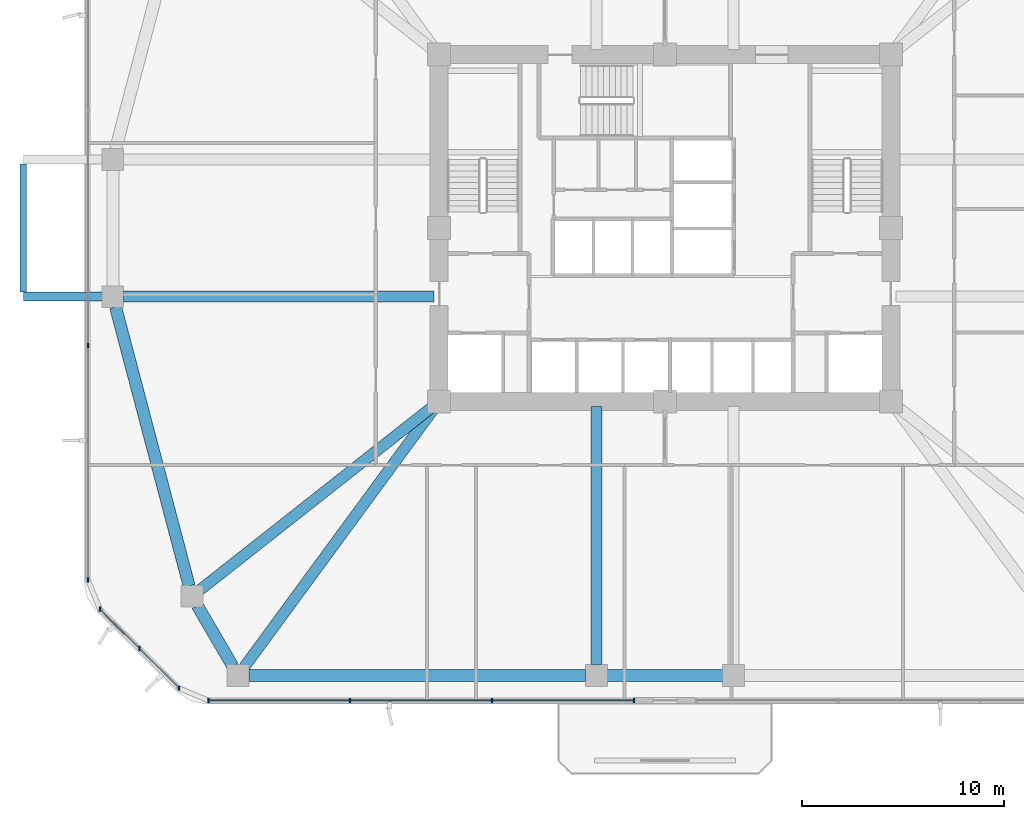
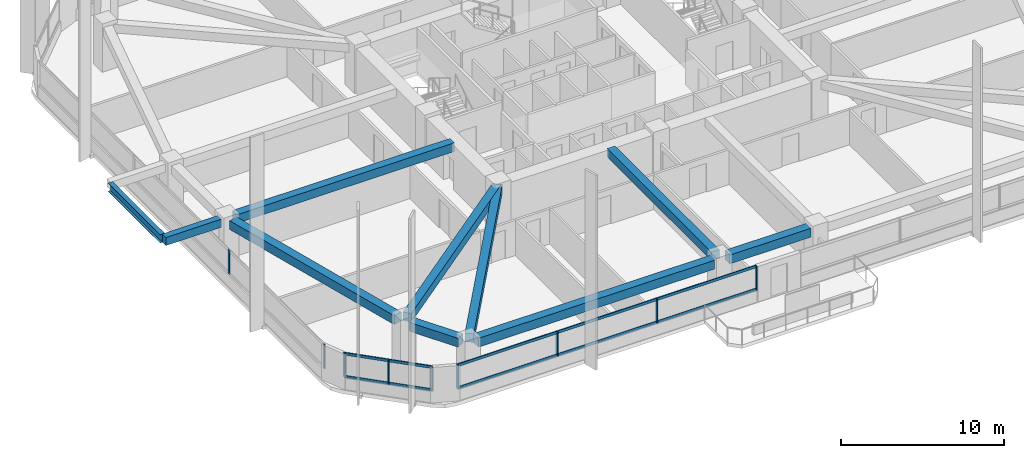
# One storey, part 2 of 17: 13 members, 10 beams, 3 elements without a shape of their own.
"""IFC4 building model written with IfcOpenShell, lengths in metres."""

from ifc_helpers import new_model, si_unit, derived_unit, direction, frame, origin, origin_2d, place, context, subcontext, project, spatial, rectangle, i_section, extrude, material, material_profile, profile_set, type_object, element, aggregate, save


model = new_model("IFC4")

# Units and contexts
model_context = context("Model", 3, precision=1e-05, world=origin(), true_north=direction((0.0, 1.0)))
body_context = subcontext(model_context, "Body", "Model", "MODEL_VIEW")
ifc_project = project(units=[si_unit("LENGTHUNIT", "METRE"), si_unit("AREAUNIT", "SQUARE_METRE"), si_unit("VOLUMEUNIT", "CUBIC_METRE"), si_unit("PLANEANGLEUNIT", "RADIAN"), si_unit("MASSUNIT", "GRAM", prefix="KILO"), derived_unit("THERMALTRANSMITTANCEUNIT", [(si_unit("POWERUNIT", "WATT"), 1), (si_unit("LENGTHUNIT", "METRE"), -2), (si_unit("THERMODYNAMICTEMPERATUREUNIT", "KELVIN"), -1)])], contexts=[model_context])

# Site, building, storey
site_placement = place(None, origin())
site = spatial("IfcSite", under=ifc_project, at=site_placement, CompositionType="ELEMENT")
building_placement = place(site_placement, origin())
building = spatial("IfcBuilding", under=site, at=building_placement, Name="Koralith Skygarden Medical Center", CompositionType="ELEMENT")
storey_placement = place(building_placement, frame((0.0, 0.0, 23.93994140625)))
storey = spatial("IfcBuildingStorey", under=building, at=storey_placement, Name="L05", CompositionType="ELEMENT", Elevation=23.93994140625)

# Curtain wall, members
ifc_material_1 = material(Name="Clear Laminated Glass", Category="glass")
curtain_wall_type = type_object("IfcCurtainWallType", Name="CW-2 Zone 1 Hurricane Unitised Curtain Wall", PredefinedType="NOTDEFINED", material=ifc_material_1)
curtain_wall_1_placement = place(storey_placement, origin())
curtain_wall_1 = element("IfcCurtainWall", 1, at=curtain_wall_1_placement, inside=storey, type_object=curtain_wall_type, Name="Curtain Wall CW-L05-S-L", PredefinedType="NOTDEFINED")
ifc_material_2 = material(Name="Aluminium 6063-T6", Category="aluminium")
ifc_material_profile_1 = material_profile(ifc_material_2, rectangle(XDim=0.071044921875, YDim=0.219970703125, at=origin_2d()), Name="MUL71X220")
ifc_profile_set_1 = profile_set([ifc_material_profile_1], Name="Aluminium 6063-T6")
member_type_1 = type_object("IfcMemberType", Name="CW-2 Extruded Mullion 71x220", PredefinedType="MULLION", material=ifc_profile_set_1)
member_1_placement = place(storey_placement, frame((14.35498046875, 2.47998046875, 0.85009765625), z_axis=(0.0, 0.0, 1.0), x_axis=(1.0, 0.0, 0.0)))
member_1 = element("IfcMember", 2, at=member_1_placement, type_object=member_type_1, Name="CW-L05-S-L Mullion 1", PredefinedType="MULLION", context=body_context, shape_type="SweptSolid", body=[
    extrude(rectangle(XDim=0.071044921875, YDim=0.219970703125, at=origin_2d()), origin(), (0.0, 0.0, 1.0), 1.800048828125),
])
member_2_placement = place(storey_placement, frame((21.389892578125, 2.47998046875, 0.85009765625), z_axis=(0.0, 0.0, 1.0), x_axis=(1.0, 0.0, 0.0)))
member_2 = element("IfcMember", 3, at=member_2_placement, type_object=member_type_1, Name="CW-L05-S-L Mullion 2", PredefinedType="MULLION", context=body_context, shape_type="SweptSolid", body=[
    extrude(rectangle(XDim=0.071044921875, YDim=0.219970703125, at=origin_2d()), origin(), (0.0, 0.0, 1.0), 1.800048828125),
])
member_3_placement = place(storey_placement, frame((28.425048828125, 2.47998046875, 0.85009765625), z_axis=(0.0, 0.0, 1.0), x_axis=(1.0, 0.0, 0.0)))
member_3 = element("IfcMember", 4, at=member_3_placement, type_object=member_type_1, Name="CW-L05-S-L Mullion 3", PredefinedType="MULLION", context=body_context, shape_type="SweptSolid", body=[
    extrude(rectangle(XDim=0.071044921875, YDim=0.219970703125, at=origin_2d()), origin(), (0.0, 0.0, 1.0), 1.800048828125),
])
member_4_placement = place(storey_placement, frame((35.4599609375, 2.47998046875, 0.85009765625), z_axis=(0.0, 0.0, 1.0), x_axis=(1.0, 0.0, 0.0)))
member_4 = element("IfcMember", 5, at=member_4_placement, type_object=member_type_1, Name="CW-L05-S-L Mullion 4", PredefinedType="MULLION", context=body_context, shape_type="SweptSolid", body=[
    extrude(rectangle(XDim=0.071044921875, YDim=0.219970703125, at=origin_2d()), origin(), (0.0, 0.0, 1.0), 1.800048828125),
])

curtain_wall_2_placement = place(storey_placement, origin())
curtain_wall_2 = element("IfcCurtainWall", 6, at=curtain_wall_2_placement, inside=storey, type_object=curtain_wall_type, Name="Curtain Wall CW-L05-W", PredefinedType="NOTDEFINED")
member_5_placement = place(storey_placement, frame((8.3798828125, 20.0849609375, 0.85009765625), z_axis=(0.0, 0.0, 1.0), x_axis=(1.0, 0.0, 0.0)))
member_5 = element("IfcMember", 7, at=member_5_placement, type_object=member_type_1, Name="CW-L05-W Mullion 3", PredefinedType="MULLION", context=body_context, shape_type="SweptSolid", body=[
    extrude(rectangle(XDim=0.071044921875, YDim=0.219970703125, at=origin_2d()), origin(), (0.0, 0.0, 1.0), 1.800048828125),
])
member_6_placement = place(storey_placement, frame((8.3798828125, 8.455078125, 0.85009765625), z_axis=(0.0, 0.0, 1.0), x_axis=(1.0, 0.0, 0.0)))
member_6 = element("IfcMember", 8, at=member_6_placement, type_object=member_type_1, Name="CW-L05-W Mullion 4", PredefinedType="MULLION", context=body_context, shape_type="SweptSolid", body=[
    extrude(rectangle(XDim=0.071044921875, YDim=0.219970703125, at=origin_2d()), origin(), (0.0, 0.0, 1.0), 1.800048828125),
])
aggregate(curtain_wall_2, [member_5, member_6])

curtain_wall_3_placement = place(storey_placement, origin())
curtain_wall_3 = element("IfcCurtainWall", 9, at=curtain_wall_3_placement, inside=storey, type_object=curtain_wall_type, Name="Curtain Wall CW-L05-SW", PredefinedType="NOTDEFINED")
member_7_placement = place(storey_placement, frame((8.98095703125, 7.00390625, 0.85009765625), z_axis=(0.0, 0.0, 1.0), x_axis=(1.0, 0.0, 0.0)))
member_7 = element("IfcMember", 10, at=member_7_placement, type_object=member_type_1, Name="CW-L05-SW Mullion 1", PredefinedType="MULLION", context=body_context, shape_type="SweptSolid", body=[
    extrude(rectangle(XDim=0.071044921875, YDim=0.219970703125, at=origin_2d()), origin(), (0.0, 0.0, 1.0), 1.800048828125),
])
member_8_placement = place(storey_placement, frame((10.94189453125, 5.04296875, 0.85009765625), z_axis=(0.0, 0.0, 1.0), x_axis=(1.0, 0.0, 0.0)))
member_8 = element("IfcMember", 11, at=member_8_placement, type_object=member_type_1, Name="CW-L05-SW Mullion 2", PredefinedType="MULLION", context=body_context, shape_type="SweptSolid", body=[
    extrude(rectangle(XDim=0.071044921875, YDim=0.219970703125, at=origin_2d()), origin(), (0.0, 0.0, 1.0), 1.800048828125),
])
member_9_placement = place(storey_placement, frame((12.904052734375, 3.0810546875, 0.85009765625), z_axis=(0.0, 0.0, 1.0), x_axis=(1.0, 0.0, 0.0)))
member_9 = element("IfcMember", 12, at=member_9_placement, type_object=member_type_1, Name="CW-L05-SW Mullion 3", PredefinedType="MULLION", context=body_context, shape_type="SweptSolid", body=[
    extrude(rectangle(XDim=0.071044921875, YDim=0.219970703125, at=origin_2d()), origin(), (0.0, 0.0, 1.0), 1.800048828125),
])

# Member
ifc_material_profile_2 = material_profile(ifc_material_2, rectangle(XDim=0.06591796875, YDim=0.197998046875, at=origin_2d()), Name="TRN66X198")
ifc_profile_set_2 = profile_set([ifc_material_profile_2], Name="Aluminium 6063-T6")
member_type_2 = type_object("IfcMemberType", Name="CW-2 Thermal Transom 66x198", PredefinedType="USERDEFINED", material=ifc_profile_set_2)
member_10_placement = place(storey_placement, frame((14.35498046875, 2.47998046875, 0.900146484375), z_axis=(1.0, 0.0, 0.0), x_axis=(0.0, 1.0, 0.0)))
member_10 = element("IfcMember", 13, at=member_10_placement, type_object=member_type_2, Name="CW-L05-S-L Transom 1", ObjectType="TRANSOM", PredefinedType="USERDEFINED", context=body_context, shape_type="SweptSolid", body=[
    extrude(rectangle(XDim=0.06591796875, YDim=0.197998046875, at=origin_2d()), origin(), (0.0, 0.0, 1.0), 21.10498046875),
])

member_11_placement = place(storey_placement, frame((14.35498046875, 2.47998046875, 2.60009765625), z_axis=(1.0, 0.0, 0.0), x_axis=(0.0, 1.0, 0.0)))
member_11 = element("IfcMember", 14, at=member_11_placement, type_object=member_type_2, Name="CW-L05-S-L Transom 2", ObjectType="TRANSOM", PredefinedType="USERDEFINED", context=body_context, shape_type="SweptSolid", body=[
    extrude(rectangle(XDim=0.06591796875, YDim=0.197998046875, at=origin_2d()), origin(), (0.0, 0.0, 1.0), 21.10498046875),
])

aggregate(curtain_wall_1, [member_1, member_2, member_3, member_4, member_10, member_11])

member_12_placement = place(storey_placement, frame((8.98095703125, 7.00390625, 0.900146484375), z_axis=(0.707128783731, -0.707084777957, 0.0), x_axis=(0.707084777957, 0.707128783731, 0.0)))
member_12 = element("IfcMember", 15, at=member_12_placement, type_object=member_type_2, Name="CW-L05-SW Transom 1", ObjectType="TRANSOM", PredefinedType="USERDEFINED", context=body_context, shape_type="SweptSolid", body=[
    extrude(rectangle(XDim=0.06591796875, YDim=0.197998046875, at=origin_2d()), origin(), (0.0, 0.0, 1.0), 5.5478515625),
])

member_13_placement = place(storey_placement, frame((8.98095703125, 7.00390625, 2.60009765625), z_axis=(0.707128783731, -0.707084777957, 0.0), x_axis=(0.707084777957, 0.707128783731, 0.0)))
member_13 = element("IfcMember", 16, at=member_13_placement, type_object=member_type_2, Name="CW-L05-SW Transom 2", ObjectType="TRANSOM", PredefinedType="USERDEFINED", context=body_context, shape_type="SweptSolid", body=[
    extrude(rectangle(XDim=0.06591796875, YDim=0.197998046875, at=origin_2d()), origin(), (0.0, 0.0, 1.0), 5.5478515625),
])

aggregate(curtain_wall_3, [member_7, member_8, member_9, member_12, member_13])

# Beams
ifc_material_3 = material(Name="Steel ASTM A992 Grade 50", Category="steel")
ifc_material_profile_3 = material_profile(ifc_material_3, i_section(OverallWidth=0.326904296875, OverallDepth=0.6220703125, WebThickness=0.015380859375, FlangeThickness=0.0244140625, at=origin_2d()), Name="W24X131")
ifc_profile_set_3 = profile_set([ifc_material_profile_3], Name="Steel ASTM A992 Grade 50")
beam_type_1 = type_object("IfcBeamType", Name="Cantilever Tie Beam W24X131", PredefinedType="BEAM", material=ifc_profile_set_3)
beam_1_placement = place(storey_placement, frame((5.179931640625, 22.719970703125, 3.029052734375), z_axis=(0.0, 1.0, 0.0), x_axis=(-1.0, 0.0, 0.0)))
element("IfcBeam", 17, at=beam_1_placement, inside=storey, type_object=beam_type_1, Name="L06 W Balcony Tip Tie Beam", PredefinedType="BEAM", context=body_context, shape_type="SweptSolid", body=[
    extrude(i_section(OverallWidth=0.326904296875, OverallDepth=0.6220703125, WebThickness=0.015380859375, FlangeThickness=0.0244140625, at=origin_2d()), origin(), (0.0, 0.0, 1.0), 6.360107421875),
])
ifc_material_4 = material(Name="Concrete C45/55", Category="concrete")
ifc_material_profile_4 = material_profile(ifc_material_4, rectangle(XDim=0.449951171875, YDim=0.60009765625, at=origin_2d()), Name="RCB450X600")
ifc_profile_set_4 = profile_set([ifc_material_profile_4], Name="Concrete C45/55")
beam_type_2 = type_object("IfcBeamType", Name="Planted Balcony Cantilever Beam RCB450X600", PredefinedType="BEAM", material=ifc_profile_set_4)
beam_2_placement = place(storey_placement, frame((9.10009765625, 22.5, 3.0400390625), z_axis=(-1.0, 0.0, 0.0), x_axis=(0.0, -1.0, 0.0)))
element("IfcBeam", 18, at=beam_2_placement, inside=storey, type_object=beam_type_2, Name="L06 W Balcony Cantilever Beam A", PredefinedType="BEAM", context=body_context, shape_type="SweptSolid", body=[
    extrude(rectangle(XDim=0.449951171875, YDim=0.60009765625, at=origin_2d()), origin(), (0.0, 0.0, 1.0), 3.920166015625),
])
ifc_material_profile_5 = material_profile(ifc_material_4, rectangle(XDim=0.550048828125, YDim=0.639892578125, at=origin_2d()), Name="RCB550X640")
ifc_profile_set_5 = profile_set([ifc_material_profile_5], Name="Concrete C45/55")
beam_type_3 = type_object("IfcBeamType", Name="Radial Collector Beam RCB550X640", PredefinedType="BEAM", material=ifc_profile_set_5)
beam_3_placement = place(storey_placement, frame((25.550048828125, 22.5, 3.0), z_axis=(-1.0, 0.0, 0.0), x_axis=(0.0, -1.0, 0.0)))
element("IfcBeam", 19, at=beam_3_placement, inside=storey, type_object=beam_type_3, Name="L05 Radial Collector Beam RB-01", PredefinedType="BEAM", context=body_context, shape_type="SweptSolid", body=[
    extrude(rectangle(XDim=0.550048828125, YDim=0.639892578125, at=origin_2d()), origin(), (0.0, 0.0, 1.0), 15.400146484375),
])
beam_4_placement = place(storey_placement, frame((25.60400390625, 17.14501953125, 3.0), z_axis=(-0.785497250365, -0.618865146594, 0.0), x_axis=(0.618865146594, -0.785497250365, 0.0)))
element("IfcBeam", 20, at=beam_4_placement, inside=storey, type_object=beam_type_3, Name="L05 Radial Collector Beam RB-02", PredefinedType="BEAM", context=body_context, shape_type="SweptSolid", body=[
    extrude(rectangle(XDim=0.550048828125, YDim=0.639892578125, at=origin_2d()), origin(), (0.0, 0.0, 1.0), 14.828857421875),
])
beam_5_placement = place(storey_placement, frame((25.652099609375, 17.097900390625, 3.0), z_axis=(-0.591718052249, -0.806144991079, 0.0), x_axis=(0.806144991079, -0.591718052249, 0.0)))
element("IfcBeam", 21, at=beam_5_placement, inside=storey, type_object=beam_type_3, Name="L05 Radial Collector Beam RB-03", PredefinedType="BEAM", context=body_context, shape_type="SweptSolid", body=[
    extrude(rectangle(XDim=0.550048828125, YDim=0.639892578125, at=origin_2d()), origin(), (0.0, 0.0, 1.0), 16.065185546875),
])
beam_6_placement = place(storey_placement, frame((33.60009765625, 17.050048828125, 3.0), z_axis=(0.0, -1.0, 0.0), x_axis=(1.0, 0.0, 0.0)))
element("IfcBeam", 22, at=beam_6_placement, inside=storey, type_object=beam_type_3, Name="L05 Radial Collector Beam RB-04", PredefinedType="BEAM", context=body_context, shape_type="SweptSolid", body=[
    extrude(rectangle(XDim=0.550048828125, YDim=0.639892578125, at=origin_2d()), origin(), (0.0, 0.0, 1.0), 12.800048828125),
])
ifc_material_profile_6 = material_profile(ifc_material_4, rectangle(XDim=0.60009765625, YDim=0.659912109375, at=origin_2d()), Name="RCB600X660")
ifc_profile_set_6 = profile_set([ifc_material_profile_6], Name="Concrete C45/55")
beam_type_4 = type_object("IfcBeamType", Name="Zone 1 Spandrel Beam RCB600X660", PredefinedType="SPANDREL", material=ifc_profile_set_6)
beam_7_placement = place(storey_placement, frame((9.7548828125, 21.988037109375, 2.989990234375), z_axis=(0.255088684842, -0.966917660851, 0.0), x_axis=(0.966917660851, 0.255088684842, 0.0)))
element("IfcBeam", 23, at=beam_7_placement, inside=storey, type_object=beam_type_4, Name="L05 Perimeter Spandrel Beam SP-01", PredefinedType="SPANDREL", context=body_context, shape_type="SweptSolid", body=[
    extrude(rectangle(XDim=0.60009765625, YDim=0.659912109375, at=origin_2d()), origin(), (0.0, 0.0, 1.0), 14.309326171875),
])
beam_8_placement = place(storey_placement, frame((13.80810546875, 7.181884765625, 2.989990234375), z_axis=(0.504638660636, -0.863330656349, 0.0), x_axis=(0.863330656349, 0.504638660636, 0.0)))
element("IfcBeam", 24, at=beam_8_placement, inside=storey, type_object=beam_type_4, Name="L05 Perimeter Spandrel Beam SP-02", PredefinedType="SPANDREL", context=body_context, shape_type="SweptSolid", body=[
    extrude(rectangle(XDim=0.60009765625, YDim=0.659912109375, at=origin_2d()), origin(), (0.0, 0.0, 1.0), 3.4794921875),
])
beam_9_placement = place(storey_placement, frame((16.362060546875, 3.719970703125, 2.989990234375), z_axis=(1.0, 0.0, 0.0), x_axis=(0.0, 1.0, 0.0)))
element("IfcBeam", 25, at=beam_9_placement, inside=storey, type_object=beam_type_4, Name="L05 Perimeter Spandrel Beam SP-03", PredefinedType="SPANDREL", context=body_context, shape_type="SweptSolid", body=[
    extrude(rectangle(XDim=0.60009765625, YDim=0.659912109375, at=origin_2d()), origin(), (0.0, 0.0, 1.0), 16.7080078125),
])
beam_10_placement = place(storey_placement, frame((34.1298828125, 3.719970703125, 2.989990234375), z_axis=(1.0, 0.0, 0.0), x_axis=(0.0, 1.0, 0.0)))
element("IfcBeam", 26, at=beam_10_placement, inside=storey, type_object=beam_type_4, Name="L05 Perimeter Spandrel Beam SP-04", PredefinedType="SPANDREL", context=body_context, shape_type="SweptSolid", body=[
    extrude(rectangle(XDim=0.60009765625, YDim=0.659912109375, at=origin_2d()), origin(), (0.0, 0.0, 1.0), 5.740234375),
])

save(model, "model.ifc")
